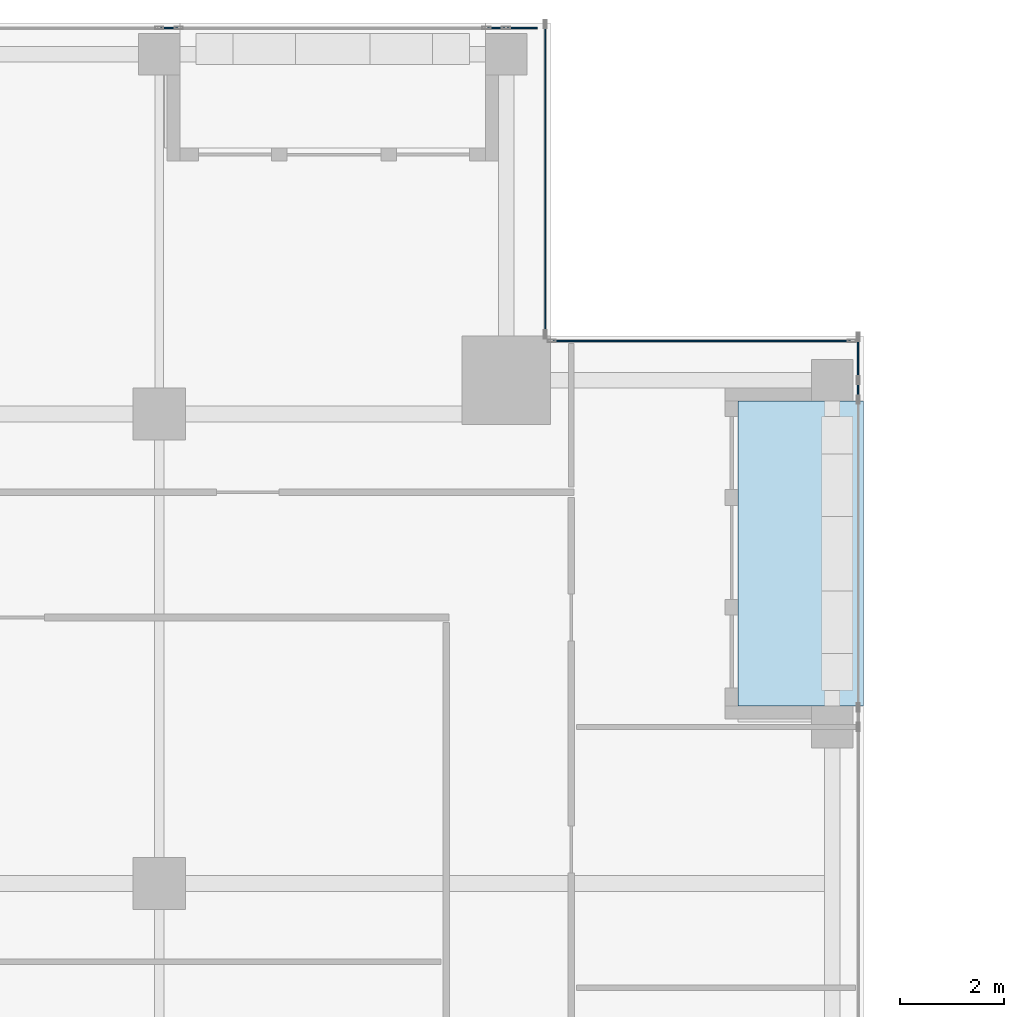
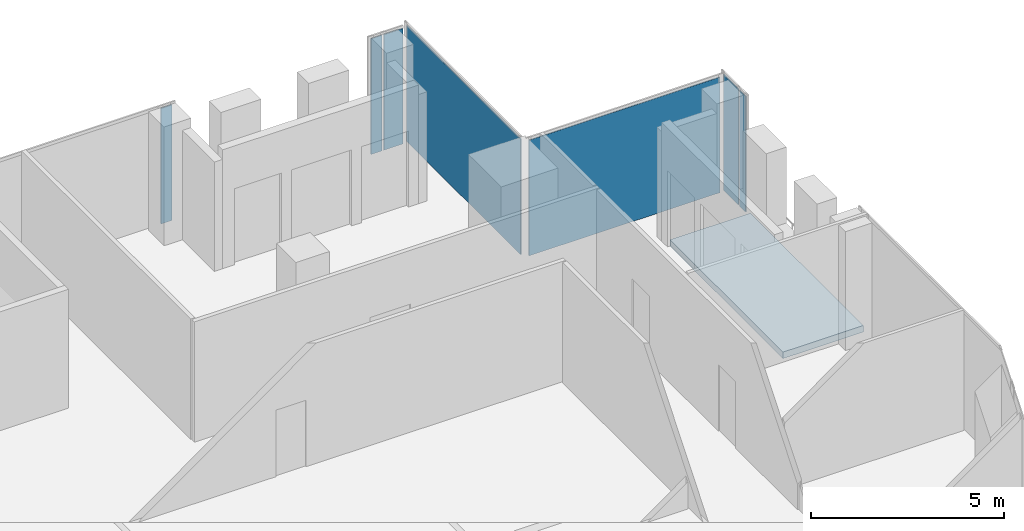
# One storey, part 22 of 28: 7 plates, 1 slab, 5 elements without a shape of their own.
"""IFC4 building model written with IfcOpenShell, lengths in metres."""

from ifc_helpers import new_model, si_unit, direction, frame, origin, origin_2d, place, context, subcontext, project, spatial, polyline, rectangle, outline, extrude, source, transform, mapped, material, layer, layer_set, type_object, element, aggregate, save


model = new_model("IFC4")

# Units and contexts
model_context = context("Model", 3, precision=1e-05, world=origin(), true_north=direction((0.0, 1.0)))
body_context = subcontext(model_context, "Body", "Model", "MODEL_VIEW")
ifc_project = project(units=[si_unit("LENGTHUNIT", "METRE"), si_unit("AREAUNIT", "SQUARE_METRE"), si_unit("VOLUMEUNIT", "CUBIC_METRE"), si_unit("PLANEANGLEUNIT", "RADIAN"), si_unit("MASSUNIT", "GRAM", prefix="KILO")], contexts=[model_context])

# Site, building, storey
site_placement = place(None, origin())
site = spatial("IfcSite", under=ifc_project, at=site_placement, CompositionType="ELEMENT")
building_placement = place(site_placement, origin())
building = spatial("IfcBuilding", under=site, at=building_placement, Name="Khomas Fold Tower", CompositionType="ELEMENT")
storey_placement = place(building_placement, frame((0.0, 0.0, 298.199951171875)))
storey = spatial("IfcBuildingStorey", under=building, at=storey_placement, Name="L67", CompositionType="ELEMENT", Elevation=298.199951171875)

# Curtain wall, plate
ifc_material_1 = material(Name="Aluminium framed double glazing", Category="aluminium")
curtain_wall_type = type_object("IfcCurtainWallType", Name="SK-Unitised clear-glass wall, upper floors CW3", PredefinedType="NOTDEFINED", material=ifc_material_1)
curtain_wall_1_placement = place(storey_placement, origin())
curtain_wall_1 = element("IfcCurtainWall", 1, at=curtain_wall_1_placement, inside=storey, type_object=curtain_wall_type, Name="CW3 run L67 06-0", PredefinedType="NOTDEFINED")
ifc_material_2 = material(Name="Clear double glazed unit")
ifc_layer_1 = layer(ifc_material_2, 0.028076171875)
ifc_layer_set_1 = layer_set([ifc_layer_1], Name="Clear double glazed unit")
plate_type = type_object("IfcPlateType", Name="SK-Unitised clear-glass wall, upper floors glass panel CW3-P", PredefinedType="CURTAIN_PANEL", material=ifc_layer_set_1)
shared_shape_1 = source(origin(), body_context, "Body", "SweptSolid", [
    extrude(rectangle(XDim=0.574951171875, YDim=0.028076171875, at=origin_2d()), origin(), (0.0, 0.0, 1.0), 3.64990234375),
])
plate_1_placement = place(storey_placement, frame((41.46240234375, 47.89990234375, 0.0), z_axis=(0.0, 0.0, 1.0), x_axis=(-1.0, 0.0, 0.0)))
plate_1 = element("IfcPlate", 2, at=plate_1_placement, type_object=plate_type, Name="CW3 glass panel 1", PredefinedType="CURTAIN_PANEL", context=body_context, shape_type="MappedRepresentation", body=[
    mapped(shared_shape_1, transform((0.0, 0.0, 0.0))),
])

curtain_wall_2_placement = place(storey_placement, origin())
curtain_wall_2 = element("IfcCurtainWall", 3, at=curtain_wall_2_placement, inside=storey, type_object=curtain_wall_type, Name="CW3 run L67 03-1", PredefinedType="NOTDEFINED")
shared_shape_2 = source(origin(), body_context, "Body", "SweptSolid", [
    extrude(rectangle(XDim=0.77490234375, YDim=0.028076171875, at=origin_2d()), origin(), (0.0, 0.0, 1.0), 3.64990234375),
])
plate_2_placement = place(storey_placement, frame((47.89990234375, 41.5625, 0.0), z_axis=(0.0, 0.0, 1.0), x_axis=(0.0, 1.0, 0.0)))
plate_2 = element("IfcPlate", 4, at=plate_2_placement, type_object=plate_type, Name="CW3 glass panel 2", PredefinedType="CURTAIN_PANEL", context=body_context, shape_type="MappedRepresentation", body=[
    mapped(shared_shape_2, transform((0.0, 0.0, 0.0))),
])

curtain_wall_3_placement = place(storey_placement, origin())
curtain_wall_3 = element("IfcCurtainWall", 5, at=curtain_wall_3_placement, inside=storey, type_object=curtain_wall_type, Name="CW3 corner return L67 04", PredefinedType="NOTDEFINED")
shared_shape_3 = source(origin(), body_context, "Body", "SweptSolid", [
    extrude(rectangle(XDim=5.699951171875, YDim=0.028076171875, at=origin_2d()), origin(), (0.0, 0.0, 1.0), 3.64990234375),
])
plate_3_placement = place(storey_placement, frame((44.89990234375, 41.89990234375, 0.0), z_axis=(0.0, 0.0, 1.0), x_axis=(-1.0, 0.0, 0.0)))
plate_3 = element("IfcPlate", 6, at=plate_3_placement, type_object=plate_type, Name="CW3 glass panel 1", PredefinedType="CURTAIN_PANEL", context=body_context, shape_type="MappedRepresentation", body=[
    mapped(shared_shape_3, transform((0.0, 0.0, 0.0))),
])
aggregate(curtain_wall_3, [plate_3])

curtain_wall_4_placement = place(storey_placement, origin())
curtain_wall_4 = element("IfcCurtainWall", 7, at=curtain_wall_4_placement, inside=storey, type_object=curtain_wall_type, Name="CW3 corner return L67 05", PredefinedType="NOTDEFINED")
shared_shape_4 = source(origin(), body_context, "Body", "SweptSolid", [
    extrude(rectangle(XDim=5.89990234375, YDim=0.028076171875, at=origin_2d()), origin(), (0.0, 0.0, 1.0), 3.64990234375),
])
plate_4_placement = place(storey_placement, frame((41.89990234375, 45.0, 0.0), z_axis=(0.0, 0.0, 1.0), x_axis=(0.0, 1.0, 0.0)))
plate_4 = element("IfcPlate", 8, at=plate_4_placement, type_object=plate_type, Name="CW3 glass panel 1", PredefinedType="CURTAIN_PANEL", context=body_context, shape_type="MappedRepresentation", body=[
    mapped(shared_shape_4, transform((0.0, 0.0, 0.0))),
])
aggregate(curtain_wall_4, [plate_4])

# Plate
shared_shape_5 = source(origin(), body_context, "Body", "SweptSolid", [
    extrude(rectangle(XDim=0.324951171875, YDim=0.028076171875, at=origin_2d()), origin(), (0.0, 0.0, 1.0), 3.64990234375),
])
plate_5_placement = place(storey_placement, frame((47.89990234375, 40.96240234375, 0.0), z_axis=(0.0, 0.0, 1.0), x_axis=(0.0, 1.0, 0.0)))
plate_5 = element("IfcPlate", 9, at=plate_5_placement, type_object=plate_type, Name="CW3 glass panel 1", PredefinedType="CURTAIN_PANEL", context=body_context, shape_type="MappedRepresentation", body=[
    mapped(shared_shape_5, transform((0.0, 0.0, 0.0))),
])

aggregate(curtain_wall_2, [plate_5, plate_2])

plate_6_placement = place(storey_placement, frame((40.96240234375, 47.89990234375, 0.0), z_axis=(0.0, 0.0, 1.0), x_axis=(-1.0, 0.0, 0.0)))
plate_6 = element("IfcPlate", 10, at=plate_6_placement, type_object=plate_type, Name="CW3 glass panel 2", PredefinedType="CURTAIN_PANEL", context=body_context, shape_type="MappedRepresentation", body=[
    mapped(shared_shape_5, transform((0.0, 0.0, 0.0))),
])

aggregate(curtain_wall_1, [plate_1, plate_6])

# Curtain wall, plate
curtain_wall_5_placement = place(storey_placement, origin())
curtain_wall_5 = element("IfcCurtainWall", 11, at=curtain_wall_5_placement, inside=storey, type_object=curtain_wall_type, Name="CW3 run L67 06-1", PredefinedType="NOTDEFINED")
plate_7_placement = place(storey_placement, frame((34.6875, 47.89990234375, 0.0), z_axis=(0.0, 0.0, 1.0), x_axis=(-1.0, 0.0, 0.0)))
plate_7 = element("IfcPlate", 12, at=plate_7_placement, type_object=plate_type, Name="CW3 glass panel 1", PredefinedType="CURTAIN_PANEL", context=body_context, shape_type="MappedRepresentation", body=[
    mapped(shared_shape_5, transform((0.0, 0.0, 0.0))),
])
aggregate(curtain_wall_5, [plate_7])

# Slab
ifc_material_3 = material(Name="Concrete C40/50", Category="concrete")
ifc_layer_2 = layer(ifc_material_3, 0.205078125)
ifc_layer_set_2 = layer_set([ifc_layer_2], Name="Concrete C40/50")
slab_type = type_object("IfcSlabType", Name="BL-Balcony deck 205", PredefinedType="FLOOR", material=ifc_layer_set_2)
shared_shape_6 = source(origin(), body_context, "Body", "SweptSolid", [
    extrude(outline(polyline([(45.60009765625, 34.89990234375), (48.0, 34.89990234375), (48.0, 40.75), (45.60009765625, 40.75), (45.60009765625, 34.89990234375)])), origin(), (0.0, 0.0, 1.0), 0.205078125),
])
slab_placement = place(storey_placement, frame((0.0, 0.0, -0.25)))
element("IfcSlab", 13, at=slab_placement, inside=storey, type_object=slab_type, Name="Balcony deck BAL-L67-E4", PredefinedType="FLOOR", context=body_context, shape_type="MappedRepresentation", body=[
    mapped(shared_shape_6, transform((0.0, 0.0, 0.0))),
])

save(model, "model.ifc")
